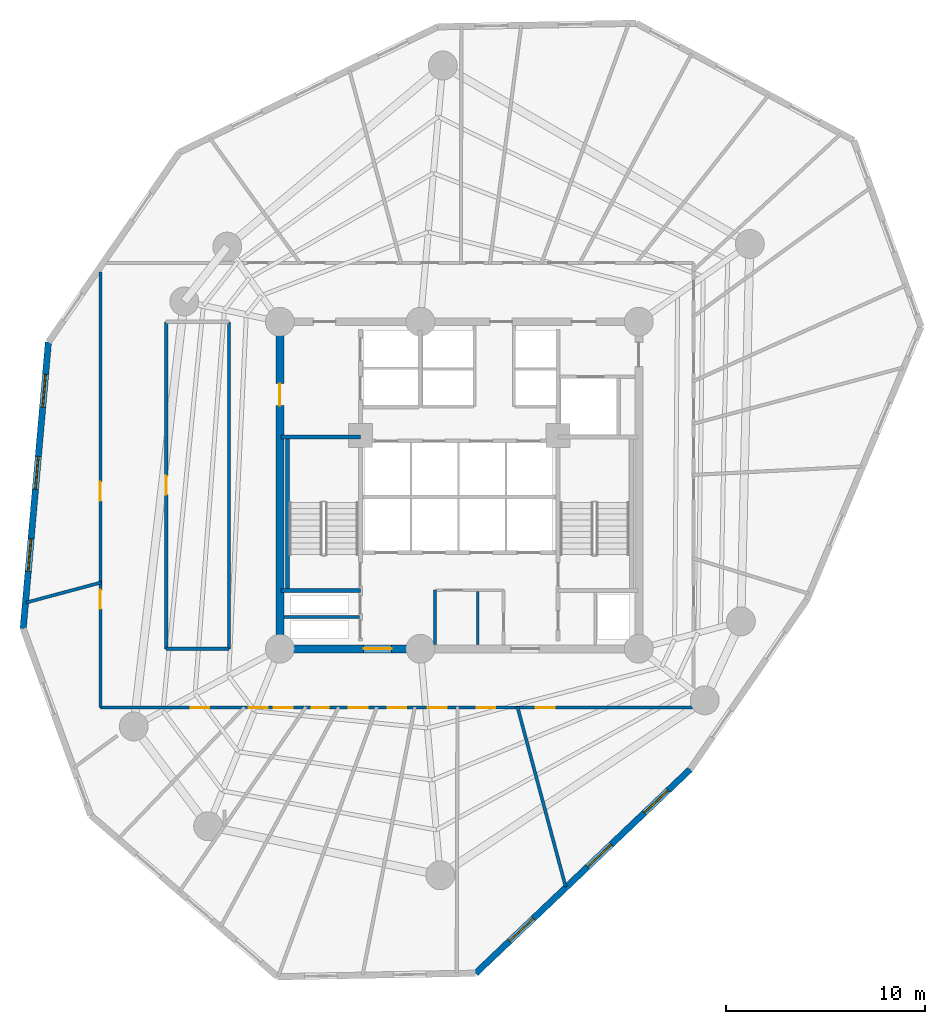
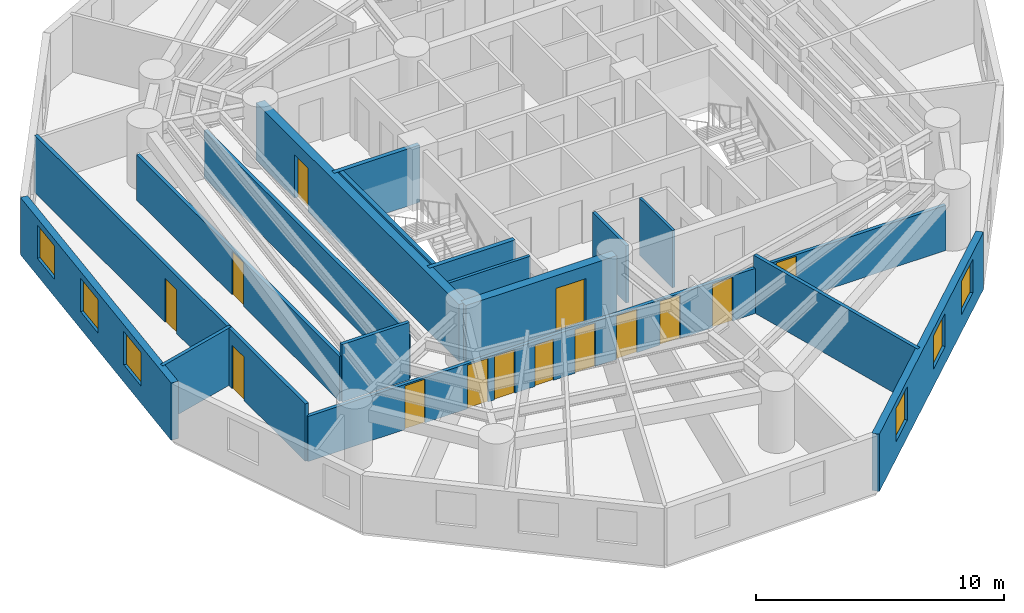
# One storey, part 3 of 8: 17 walls, 14 doors, 6 windows, 20 openings.
"""IFC4 building model written with IfcOpenShell, lengths in metres."""

import ifcopenshell
import ifcopenshell.guid

model = None  # the IFC model being written
_history = None  # IfcOwnerHistory: only IFC2X3 demands one
_inside = {}  # id of a spatial element -> (the spatial element, [elements in it])
_under = {}  # id of a project, library or spatial element -> (it, [spatial elements below it])
_declared = {}  # id of a project -> (the project, [libraries it declares])
_typed = {}  # id of a type object -> (the type object, [elements of that type])
_made_of = {}  # id of a material, layer set ... -> (it, [elements and type objects made of it])


def new_model(schema):
    """Start an empty IFC model of exactly this schema.

    Asked for "IFC4X3", IfcOpenShell would pick the latest addendum, in which some entities
    have other attributes; the version numbers below select the first issue.
    IFC2X3 requires an IfcOwnerHistory on every rooted entity: one is made here for all.
    """
    global model, _history
    if schema == "IFC4X3":
        model = ifcopenshell.file(schema_version=(4, 3, 0, 0))
    else:
        model = ifcopenshell.file(schema=schema)
    _inside.clear()
    _under.clear()
    _declared.clear()
    _typed.clear()
    _made_of.clear()
    _history = None
    if model.schema == "IFC2X3":
        org = make("IfcOrganization", Name="unknown")
        user = make(
            "IfcPersonAndOrganization",
            ThePerson=make("IfcPerson", FamilyName="unknown"),
            TheOrganization=org,
        )
        app = make(
            "IfcApplication",
            ApplicationDeveloper=org,
            Version="unknown",
            ApplicationFullName="unknown",
            ApplicationIdentifier="unknown",
        )
        _history = make(
            "IfcOwnerHistory",
            OwningUser=user,
            OwningApplication=app,
            ChangeAction="ADDED",
            CreationDate=0,
        )
    return model


def make(cls, **values):
    """One entity of the class cls with the attributes given. An attribute that is None is left unset."""
    return model.create_entity(
        cls, **{name: value for name, value in values.items() if value is not None}
    )


def rooted(cls, **values):
    """An entity with a GlobalId (a new one), such as an element, a storey or a relation."""
    return make(cls, GlobalId=ifcopenshell.guid.new(), OwnerHistory=_history, **values)


def si_unit(unit_type, name, prefix=None):
    """IfcSIUnit, for example si_unit("LENGTHUNIT", "METRE", prefix="MILLI")."""
    return make("IfcSIUnit", UnitType=unit_type, Prefix=prefix, Name=name)


def assignment(units):
    """IfcUnitAssignment: the units of a project."""
    return None if units is None else make("IfcUnitAssignment", Units=units)


def point(xyz):
    """IfcCartesianPoint."""
    return None if xyz is None else make("IfcCartesianPoint", Coordinates=xyz)


def direction(xyz):
    """IfcDirection."""
    return None if xyz is None else make("IfcDirection", DirectionRatios=xyz)


def frame(location, z_axis=None, x_axis=None):
    """IfcAxis2Placement3D, a coordinate frame: its origin and axes. An axis left out is left unset."""
    return make(
        "IfcAxis2Placement3D",
        Location=point(location),
        Axis=direction(z_axis),
        RefDirection=direction(x_axis),
    )


def frame_2d(location, x_axis=None):
    """IfcAxis2Placement2D, a coordinate frame in the plane: its origin and x axis."""
    return make(
        "IfcAxis2Placement2D", Location=point(location), RefDirection=direction(x_axis)
    )


def origin():
    """The frame at (0, 0, 0) with its axes left unset."""
    return frame((0.0, 0.0, 0.0))


def origin_with_axes():
    """The frame at (0, 0, 0) with the z axis (0, 0, 1) and the x axis (1, 0, 0) written out."""
    return frame((0.0, 0.0, 0.0), z_axis=(0.0, 0.0, 1.0), x_axis=(1.0, 0.0, 0.0))


def place(relative_to, where):
    """IfcLocalPlacement: puts the frame where relative to a parent placement (None: the world)."""
    return make(
        "IfcLocalPlacement", PlacementRelTo=relative_to, RelativePlacement=where
    )


def context(
    kind, dimensions, precision=None, world=None, true_north=None, identifier=None
):
    """IfcGeometricRepresentationContext, for example the 3D "Model" context."""
    return make(
        "IfcGeometricRepresentationContext",
        ContextIdentifier=identifier,
        ContextType=kind,
        CoordinateSpaceDimension=dimensions,
        Precision=precision,
        WorldCoordinateSystem=world,
        TrueNorth=true_north,
    )


def subcontext(parent, identifier, kind, view, scale=None):
    """IfcGeometricRepresentationSubContext, for example "Body" below "Model"."""
    return make(
        "IfcGeometricRepresentationSubContext",
        ContextIdentifier=identifier,
        ContextType=kind,
        ParentContext=parent,
        TargetScale=scale,
        TargetView=view,
    )


def project(units=None, contexts=None):
    """IfcProject with its units and contexts."""
    return rooted(
        "IfcProject",
        Name="project",
        RepresentationContexts=contexts,
        UnitsInContext=assignment(units),
    )


def spatial(cls, under=None, at=None, **own):
    """A site, building, storey or space (cls), placed at a placement, below another one or the project."""
    s = rooted(cls, ObjectPlacement=at, **own)
    if under is not None:
        _under.setdefault(under.id(), (under, []))[1].append(s)
    return s


def profile(cls, at=None, kind="AREA", **sizes):
    """A parametric profile (cls). Its sizes go by their IFC names, for example OverallWidth=200.0."""
    return make(cls, ProfileType=kind, Position=at, **sizes)


def rectangle(**sizes):
    """IfcRectangleProfileDef."""
    return profile("IfcRectangleProfileDef", **sizes)


def extrude(swept, where, along, depth):
    """IfcExtrudedAreaSolid: the profile swept, set in the frame where, extruded along a direction by depth."""
    return make(
        "IfcExtrudedAreaSolid",
        SweptArea=swept,
        Position=where,
        ExtrudedDirection=direction(along),
        Depth=depth,
    )


def shape(context_of_items, identifier, shape_type, items):
    """IfcShapeRepresentation: the items that make up one representation, for example the "Body"."""
    return make(
        "IfcShapeRepresentation",
        ContextOfItems=context_of_items,
        RepresentationIdentifier=identifier,
        RepresentationType=shape_type,
        Items=items,
    )


def source(mapping_origin, context_of_items, identifier, shape_type, items):
    """IfcRepresentationMap: a shape defined once, which mapped items show again and again."""
    return make(
        "IfcRepresentationMap",
        MappingOrigin=mapping_origin,
        MappedRepresentation=shape(context_of_items, identifier, shape_type, items),
    )


def transform(
    local_origin,
    x_axis=None,
    y_axis=None,
    z_axis=None,
    scale=None,
    scale2=None,
    scale3=None,
    uniform=True,
):
    """IfcCartesianTransformationOperator3D, or its non-uniform kind. x_axis, y_axis, z_axis: its Axis1, 2, 3."""
    if uniform:
        return make(
            "IfcCartesianTransformationOperator3D",
            Axis1=direction(x_axis),
            Axis2=direction(y_axis),
            LocalOrigin=point(local_origin),
            Scale=scale,
            Axis3=direction(z_axis),
        )
    return make(
        "IfcCartesianTransformationOperator3DnonUniform",
        Axis1=direction(x_axis),
        Axis2=direction(y_axis),
        LocalOrigin=point(local_origin),
        Scale=scale,
        Axis3=direction(z_axis),
        Scale2=scale2,
        Scale3=scale3,
    )


def mapped(mapping_source, mapping_target):
    """IfcMappedItem: shows the shape of a source again, moved by a transform."""
    return make(
        "IfcMappedItem", MappingSource=mapping_source, MappingTarget=mapping_target
    )


def material(Name=None, Category=None):
    """IfcMaterial."""
    return make("IfcMaterial", Name=Name, Category=Category)


def layer(
    of_material, thickness, ventilated=None, Name=None, Category=None, Priority=None
):
    """IfcMaterialLayer: one layer of a wall or slab, of a material (None: an air gap)."""
    return make(
        "IfcMaterialLayer",
        Material=of_material,
        LayerThickness=thickness,
        IsVentilated=ventilated,
        Name=Name,
        Category=Category,
        Priority=Priority,
    )


def layer_set(layers, Name=None):
    """IfcMaterialLayerSet."""
    return make("IfcMaterialLayerSet", MaterialLayers=layers, LayerSetName=Name)


def made_of(thing, what):
    """Note that an element or type object is made of a material, layer set ...; save() writes the relation."""
    if what is not None:
        _made_of.setdefault(what.id(), (what, []))[1].append(thing)
    return thing


def type_object(cls, material=None, **own):
    """A type object (cls), such as IfcWallType, which elements share."""
    return made_of(rooted(cls, **own), material)


def element(
    cls,
    number,
    at=None,
    inside=None,
    cuts=None,
    type_object=None,
    material=None,
    context=None,
    identifier="Body",
    shape_type=None,
    held_by="IfcProductDefinitionShape",
    body=None,
    shapes=None,
    **own,
):
    """One element of the class cls, such as IfcWall. Its Tag is "e" and its number.

    at: its placement. inside: the storey or other place that contains it. cuts: it is an
    opening in that element (IfcRelVoidsElement). A single representation is given by context,
    identifier, shape_type and body (its items); several are given by shapes. held_by: the class
    of the entity that holds the representations. save() writes the other relations.
    """
    e = rooted(cls, Tag="e%d" % number, ObjectPlacement=at, **own)
    if body is not None:
        shapes = [shape(context, identifier, shape_type, body)]
    if shapes is not None:
        e.Representation = make(held_by, Representations=shapes)
    if inside is not None:
        _inside.setdefault(inside.id(), (inside, []))[1].append(e)
    if cuts is not None:
        rooted(
            "IfcRelVoidsElement", RelatingBuildingElement=cuts, RelatedOpeningElement=e
        )
    if type_object is not None:
        _typed.setdefault(type_object.id(), (type_object, []))[1].append(e)
    return made_of(e, material)


def fill(opening, filler):
    """IfcRelFillsElement: the door or window that sits in an opening."""
    return rooted(
        "IfcRelFillsElement",
        RelatingOpeningElement=opening,
        RelatedBuildingElement=filler,
    )


def aggregate(whole, parts):
    """IfcRelAggregates: a whole, such as a stair, and the parts it consists of."""
    return rooted("IfcRelAggregates", RelatingObject=whole, RelatedObjects=parts)


def save(model, path):
    """Write the relations noted so far, then the file.

    IfcRelAggregates (storeys below a building ...), IfcRelContainedInSpatialStructure (elements
    in a storey), IfcRelDefinesByType, IfcRelAssociatesMaterial and IfcRelDeclares: one each for
    every whole, place, type object, material and project.
    """
    for whole, parts in _under.values():
        aggregate(whole, parts)
    for where, things in _inside.values():
        rooted(
            "IfcRelContainedInSpatialStructure",
            RelatedElements=things,
            RelatingStructure=where,
        )
    for kind, things in _typed.values():
        rooted("IfcRelDefinesByType", RelatedObjects=things, RelatingType=kind)
    for what, things in _made_of.values():
        rooted("IfcRelAssociatesMaterial", RelatedObjects=things, RelatingMaterial=what)
    for by, libraries in _declared.values():
        rooted("IfcRelDeclares", RelatingContext=by, RelatedDefinitions=libraries)
    model.write(path)


model = new_model("IFC4")

# Units and contexts
model_context = context("Model", 3, precision=1e-05, world=origin(), true_north=direction((0.0, 1.0)))
body_context = subcontext(model_context, "Body", "Model", "MODEL_VIEW")
ifc_project = project(units=[si_unit("LENGTHUNIT", "METRE"), si_unit("AREAUNIT", "SQUARE_METRE"), si_unit("VOLUMEUNIT", "CUBIC_METRE"), si_unit("PLANEANGLEUNIT", "RADIAN"), si_unit("MASSUNIT", "GRAM", prefix="KILO")], contexts=[model_context])

# Site, building, storey
site_placement = place(None, origin())
site = spatial("IfcSite", under=ifc_project, at=site_placement, CompositionType="ELEMENT")
building_placement = place(site_placement, origin())
building = spatial("IfcBuilding", under=site, at=building_placement, Name="Karkom Vertical University and Central Library", CompositionType="ELEMENT")
storey_placement = place(building_placement, frame((0.0, 0.0, 102.300048828125)))
storey = spatial("IfcBuildingStorey", under=building, at=storey_placement, Name="L27", CompositionType="ELEMENT", Elevation=102.300048828125)

# Wall, openings, windows
ifc_material_1 = material(Name="Brick-faced precast concrete C45/55", Category="masonry")
ifc_layer_1 = layer(ifc_material_1, 0.320068359375)
ifc_layer_set_1 = layer_set([ifc_layer_1], Name="Brick-faced precast concrete C45/55")
wall_type_1 = type_object("IfcWallType", Name="ENV-WL-BRK-320", PredefinedType="SOLIDWALL", material=ifc_layer_set_1)
wall_1_placement = place(storey_placement, frame((7.8935546875, 33.676025390625, 0.0), z_axis=(0.0, 0.0, 1.0), x_axis=(-0.087722802812, -0.996144924128, 0.0)))
wall_1 = element("IfcWall", 1, at=wall_1_placement, inside=storey, type_object=wall_type_1, Name="Level 27 Brick-Faced Precast Facade Wall 02", PredefinedType="SOLIDWALL", context=body_context, shape_type="SweptSolid", body=[
    extrude(rectangle(XDim=14.41650390625, YDim=0.320068359375, at=frame_2d((7.208251953125, 0.0))), origin(), (0.0, 0.0, 1.0), 2.824951171875),
])
opening_1_placement = place(wall_1_placement, frame((1.62109375, 0.0, 0.85009765625)))
opening_1 = element("IfcOpeningElement", 2, at=opening_1_placement, cuts=wall_1, Name="Opening WN-06", PredefinedType="OPENING", context=body_context, shape_type="SweptSolid", body=[
    extrude(rectangle(XDim=1.64990234375, YDim=1.64990234375, at=frame_2d((0.824951171875, 0.824951171875))), frame((0.0, 0.169921875, 0.0), z_axis=(0.0, -1.0, 0.0), x_axis=(1.0, 0.0, 0.0)), (0.0, 0.0, 1.0), 0.340087890625),
])
opening_2_placement = place(wall_1_placement, frame((5.7529296875, 0.0, 0.85009765625)))
opening_2 = element("IfcOpeningElement", 3, at=opening_2_placement, cuts=wall_1, Name="Opening WN-06", PredefinedType="OPENING", context=body_context, shape_type="SweptSolid", body=[
    extrude(rectangle(XDim=1.64990234375, YDim=1.64990234375, at=frame_2d((0.824951171875, 0.824951171875))), frame((0.0, 0.169921875, 0.0), z_axis=(0.0, -1.0, 0.0), x_axis=(1.0, 0.0, 0.0)), (0.0, 0.0, 1.0), 0.340087890625),
])
opening_3_placement = place(wall_1_placement, frame((9.885009765625, 0.0, 0.85009765625)))
opening_3 = element("IfcOpeningElement", 4, at=opening_3_placement, cuts=wall_1, Name="Opening WN-06", PredefinedType="OPENING", context=body_context, shape_type="SweptSolid", body=[
    extrude(rectangle(XDim=1.64990234375, YDim=1.64990234375, at=frame_2d((0.824951171875, 0.824951171875))), frame((0.0, 0.169921875, 0.0), z_axis=(0.0, -1.0, 0.0), x_axis=(1.0, 0.0, 0.0)), (0.0, 0.0, 1.0), 0.340087890625),
])
ifc_material_2 = material(Name="Aluminium thermal-break frame with solar-control IGU", Category="aluminium")
window_type = type_object("IfcWindowType", Name="ENV-WIN-WN-06", PartitioningType="SINGLE_PANEL", PredefinedType="WINDOW", material=ifc_material_2)
shared_shape_1 = source(origin_with_axes(), body_context, "Body", "SweptSolid", [
    extrude(rectangle(XDim=1.64990234375, YDim=1.64990234375, at=frame_2d((0.824951171875, 0.824951171875))), frame((0.0, 0.030029296875, 0.0), z_axis=(0.0, -1.0, 0.0), x_axis=(1.0, 0.0, 0.0)), (0.0, 0.0, 1.0), 0.06005859375),
])
window_1_placement = place(opening_1_placement, origin())
window_1 = element("IfcWindow", 5, at=window_1_placement, inside=storey, type_object=window_type, Name="Level 27 Punched Window 2.1", OverallHeight=1.64990234375, OverallWidth=1.64990234375, PartitioningType="SINGLE_PANEL", PredefinedType="WINDOW", context=body_context, shape_type="MappedRepresentation", body=[
    mapped(shared_shape_1, transform((0.0, 0.0, 0.0), scale=1.0)),
])
fill(opening_1, window_1)
window_2_placement = place(opening_2_placement, origin())
window_2 = element("IfcWindow", 6, at=window_2_placement, inside=storey, type_object=window_type, Name="Level 27 Punched Window 2.2", OverallHeight=1.64990234375, OverallWidth=1.64990234375, PartitioningType="SINGLE_PANEL", PredefinedType="WINDOW", context=body_context, shape_type="MappedRepresentation", body=[
    mapped(shared_shape_1, transform((0.0, 0.0, 0.0), scale=1.0)),
])
fill(opening_2, window_2)
window_3_placement = place(opening_3_placement, origin())
window_3 = element("IfcWindow", 7, at=window_3_placement, inside=storey, type_object=window_type, Name="Level 27 Punched Window 2.3", OverallHeight=1.64990234375, OverallWidth=1.64990234375, PartitioningType="SINGLE_PANEL", PredefinedType="WINDOW", context=body_context, shape_type="MappedRepresentation", body=[
    mapped(shared_shape_1, transform((0.0, 0.0, 0.0), scale=1.0)),
])
fill(opening_3, window_3)

wall_2_placement = place(storey_placement, frame((29.322265625, 2.026611328125, 0.0), z_axis=(0.0, 0.0, 1.0), x_axis=(0.724723882239, 0.689039399826, 0.0)))
wall_2 = element("IfcWall", 8, at=wall_2_placement, inside=storey, type_object=wall_type_1, Name="Level 27 Brick-Faced Precast Facade Wall 06", PredefinedType="SOLIDWALL", context=body_context, shape_type="SweptSolid", body=[
    extrude(rectangle(XDim=14.846435546875, YDim=0.320068359375, at=frame_2d((7.42333984375, 0.0))), origin(), (0.0, 0.0, 1.0), 2.824951171875),
])
opening_4_placement = place(wall_2_placement, frame((2.34228515625, 0.0, 0.85009765625)))
opening_4 = element("IfcOpeningElement", 9, at=opening_4_placement, cuts=wall_2, Name="Opening WN-06", PredefinedType="OPENING", context=body_context, shape_type="SweptSolid", body=[
    extrude(rectangle(XDim=1.64990234375, YDim=1.64990234375, at=frame_2d((0.824951171875, 0.824951171875))), frame((0.0, 0.169921875, 0.0), z_axis=(0.0, -1.0, 0.0), x_axis=(1.0, 0.0, 0.0)), (0.0, 0.0, 1.0), 0.340087890625),
])
opening_5_placement = place(wall_2_placement, frame((7.73779296875, 0.0, 0.85009765625)))
opening_5 = element("IfcOpeningElement", 10, at=opening_5_placement, cuts=wall_2, Name="Opening WN-06", PredefinedType="OPENING", context=body_context, shape_type="SweptSolid", body=[
    extrude(rectangle(XDim=1.64990234375, YDim=1.64990234375, at=frame_2d((0.824951171875, 0.824951171875))), frame((0.0, 0.169921875, 0.0), z_axis=(0.0, -1.0, 0.0), x_axis=(1.0, 0.0, 0.0)), (0.0, 0.0, 1.0), 0.340087890625),
])
opening_6_placement = place(wall_2_placement, frame((11.67333984375, 0.0, 0.85009765625)))
opening_6 = element("IfcOpeningElement", 11, at=opening_6_placement, cuts=wall_2, Name="Opening WN-06", PredefinedType="OPENING", context=body_context, shape_type="SweptSolid", body=[
    extrude(rectangle(XDim=1.64990234375, YDim=1.64990234375, at=frame_2d((0.824951171875, 0.824951171875))), frame((0.0, 0.169921875, 0.0), z_axis=(0.0, -1.0, 0.0), x_axis=(1.0, 0.0, 0.0)), (0.0, 0.0, 1.0), 0.340087890625),
])
window_4_placement = place(opening_4_placement, origin())
window_4 = element("IfcWindow", 12, at=window_4_placement, inside=storey, type_object=window_type, Name="Level 27 Punched Window 6.1", OverallHeight=1.64990234375, OverallWidth=1.64990234375, PartitioningType="SINGLE_PANEL", PredefinedType="WINDOW", context=body_context, shape_type="MappedRepresentation", body=[
    mapped(shared_shape_1, transform((0.0, 0.0, 0.0), scale=1.0)),
])
fill(opening_4, window_4)
window_5_placement = place(opening_5_placement, origin())
window_5 = element("IfcWindow", 13, at=window_5_placement, inside=storey, type_object=window_type, Name="Level 27 Punched Window 6.2", OverallHeight=1.64990234375, OverallWidth=1.64990234375, PartitioningType="SINGLE_PANEL", PredefinedType="WINDOW", context=body_context, shape_type="MappedRepresentation", body=[
    mapped(shared_shape_1, transform((0.0, 0.0, 0.0), scale=1.0)),
])
fill(opening_5, window_5)
window_6_placement = place(opening_6_placement, origin())
window_6 = element("IfcWindow", 14, at=window_6_placement, inside=storey, type_object=window_type, Name="Level 27 Punched Window 6.3", OverallHeight=1.64990234375, OverallWidth=1.64990234375, PartitioningType="SINGLE_PANEL", PredefinedType="WINDOW", context=body_context, shape_type="MappedRepresentation", body=[
    mapped(shared_shape_1, transform((0.0, 0.0, 0.0), scale=1.0)),
])
fill(opening_6, window_6)

# Wall, openings, doors
ifc_material_3 = material(Name="Insulated metal-stud drywall 160mm", Category="gypsum")
ifc_layer_2 = layer(ifc_material_3, 0.159912109375)
ifc_layer_set_2 = layer_set([ifc_layer_2], Name="Insulated metal-stud drywall 160mm")
wall_type_2 = type_object("IfcWallType", Name="INT-WL-COR-160", PredefinedType="PARTITIONING", material=ifc_layer_set_2)
wall_3_placement = place(storey_placement, frame((40.25, 15.35009765625, 0.0), z_axis=(0.0, 0.0, 1.0), x_axis=(-1.0, 0.0, 0.0)))
wall_3 = element("IfcWall", 15, at=wall_3_placement, inside=storey, type_object=wall_type_2, Name="Level 27 Interior Partition Wall L27-CORW-CW-001", PredefinedType="PARTITIONING", context=body_context, shape_type="SweptSolid", body=[
    extrude(rectangle(XDim=29.75, YDim=0.159912109375, at=frame_2d((14.875, 0.0))), origin(), (0.0, 0.0, 1.0), 2.224853515625),
])
opening_7_placement = place(wall_3_placement, frame((24.280029296875, 0.0, 0.0)))
opening_7 = element("IfcOpeningElement", 16, at=opening_7_placement, cuts=wall_3, Name="Opening D-RM1", PredefinedType="OPENING", context=body_context, shape_type="SweptSolid", body=[
    extrude(rectangle(XDim=0.949951171875, YDim=2.14990234375, at=frame_2d((0.47509765625, 1.074951171875))), frame((0.0, 0.08984375, 0.0), z_axis=(0.0, -1.0, 0.0), x_axis=(1.0, 0.0, 0.0)), (0.0, 0.0, 1.0), 0.179931640625),
])
opening_8_placement = place(wall_3_placement, frame((21.347412109375, 0.0, 0.0)))
opening_8 = element("IfcOpeningElement", 17, at=opening_8_placement, cuts=wall_3, Name="Opening D-RM1", PredefinedType="OPENING", context=body_context, shape_type="SweptSolid", body=[
    extrude(rectangle(XDim=0.949951171875, YDim=2.14990234375, at=frame_2d((0.47509765625, 1.074951171875))), frame((0.0, 0.08984375, 0.0), z_axis=(0.0, -1.0, 0.0), x_axis=(1.0, 0.0, 0.0)), (0.0, 0.0, 1.0), 0.179931640625),
])
opening_9_placement = place(wall_3_placement, frame((20.1025390625, 0.0, 0.0)))
opening_9 = element("IfcOpeningElement", 18, at=opening_9_placement, cuts=wall_3, Name="Opening D-RM1", PredefinedType="OPENING", context=body_context, shape_type="SweptSolid", body=[
    extrude(rectangle(XDim=0.949951171875, YDim=2.14990234375, at=frame_2d((0.47509765625, 1.074951171875))), frame((0.0, 0.08984375, 0.0), z_axis=(0.0, -1.0, 0.0), x_axis=(1.0, 0.0, 0.0)), (0.0, 0.0, 1.0), 0.179931640625),
])
opening_10_placement = place(wall_3_placement, frame((16.3466796875, 0.0, 0.0)))
opening_10 = element("IfcOpeningElement", 19, at=opening_10_placement, cuts=wall_3, Name="Opening D-RM1", PredefinedType="OPENING", context=body_context, shape_type="SweptSolid", body=[
    extrude(rectangle(XDim=0.949951171875, YDim=2.14990234375, at=frame_2d((0.47509765625, 1.074951171875))), frame((0.0, 0.08984375, 0.0), z_axis=(0.0, -1.0, 0.0), x_axis=(1.0, 0.0, 0.0)), (0.0, 0.0, 1.0), 0.179931640625),
])
opening_11_placement = place(wall_3_placement, frame((14.39990234375, 0.0, 0.0)))
opening_11 = element("IfcOpeningElement", 20, at=opening_11_placement, cuts=wall_3, Name="Opening D-RM1", PredefinedType="OPENING", context=body_context, shape_type="SweptSolid", body=[
    extrude(rectangle(XDim=0.949951171875, YDim=2.14990234375, at=frame_2d((0.47509765625, 1.074951171875))), frame((0.0, 0.08984375, 0.0), z_axis=(0.0, -1.0, 0.0), x_axis=(1.0, 0.0, 0.0)), (0.0, 0.0, 1.0), 0.179931640625),
])
opening_12_placement = place(wall_3_placement, frame((12.3857421875, 0.0, 0.0)))
opening_12 = element("IfcOpeningElement", 21, at=opening_12_placement, cuts=wall_3, Name="Opening D-RM1", PredefinedType="OPENING", context=body_context, shape_type="SweptSolid", body=[
    extrude(rectangle(XDim=0.949951171875, YDim=2.14990234375, at=frame_2d((0.47509765625, 1.074951171875))), frame((0.0, 0.08984375, 0.0), z_axis=(0.0, -1.0, 0.0), x_axis=(1.0, 0.0, 0.0)), (0.0, 0.0, 1.0), 0.179931640625),
])
opening_13_placement = place(wall_3_placement, frame((9.9375, 0.0, 0.0)))
opening_13 = element("IfcOpeningElement", 22, at=opening_13_placement, cuts=wall_3, Name="Opening D-RM1", PredefinedType="OPENING", context=body_context, shape_type="SweptSolid", body=[
    extrude(rectangle(XDim=0.949951171875, YDim=2.14990234375, at=frame_2d((0.47509765625, 1.074951171875))), frame((0.0, 0.08984375, 0.0), z_axis=(0.0, -1.0, 0.0), x_axis=(1.0, 0.0, 0.0)), (0.0, 0.0, 1.0), 0.179931640625),
])
opening_14_placement = place(wall_3_placement, frame((6.96240234375, 0.0, 0.0)))
opening_14 = element("IfcOpeningElement", 23, at=opening_14_placement, cuts=wall_3, Name="Opening D-RM1", PredefinedType="OPENING", context=body_context, shape_type="SweptSolid", body=[
    extrude(rectangle(XDim=0.949951171875, YDim=2.14990234375, at=frame_2d((0.47509765625, 1.074951171875))), frame((0.0, 0.08984375, 0.0), z_axis=(0.0, -1.0, 0.0), x_axis=(1.0, 0.0, 0.0)), (0.0, 0.0, 1.0), 0.179931640625),
])
opening_15_placement = place(wall_3_placement, frame((18.293212890625, 0.0, 0.0)))
opening_15 = element("IfcOpeningElement", 24, at=opening_15_placement, cuts=wall_3, Name="Opening FD-BTH2", PredefinedType="OPENING", context=body_context, shape_type="SweptSolid", body=[
    extrude(rectangle(XDim=0.860107421875, YDim=2.0400390625, at=frame_2d((0.43017578125, 1.02001953125))), frame((0.0, 0.08984375, 0.0), z_axis=(0.0, -1.0, 0.0), x_axis=(1.0, 0.0, 0.0)), (0.0, 0.0, 1.0), 0.179931640625),
])
ifc_material_4 = material(Name="Fire-rated moisture-resistant oak door", Category="wood")
door_type_1 = type_object("IfcDoorType", Name="INT-DR-FBTH2", OperationType="NOTDEFINED", PredefinedType="DOOR", material=ifc_material_4)
shared_shape_2 = source(origin_with_axes(), body_context, "Body", "SweptSolid", [
    extrude(rectangle(XDim=0.860107421875, YDim=2.0400390625, at=frame_2d((0.43017578125, 1.02001953125))), frame((0.0, 0.02490234375, 0.0), z_axis=(0.0, -1.0, 0.0), x_axis=(1.0, 0.0, 0.0)), (0.0, 0.0, 1.0), 0.050048828125),
])
door_1_placement = place(opening_15_placement, origin())
door_1 = element("IfcDoor", 25, at=door_1_placement, inside=storey, type_object=door_type_1, Name="Level 27 Academic Collaborative Study Lounge Entry Door", OperationType="SINGLE_SWING_LEFT", OverallHeight=2.0400390625, OverallWidth=0.860107421875, PredefinedType="DOOR", context=body_context, shape_type="MappedRepresentation", body=[
    mapped(shared_shape_2, transform((0.0, 0.0, 0.0), scale=1.0)),
])
fill(opening_15, door_1)
ifc_material_5 = material(Name="Solid-core oak veneer door", Category="wood")
door_type_2 = type_object("IfcDoorType", Name="INT-DR-RM1", OperationType="NOTDEFINED", PredefinedType="DOOR", material=ifc_material_5)
shared_shape_3 = source(origin_with_axes(), body_context, "Body", "SweptSolid", [
    extrude(rectangle(XDim=0.949951171875, YDim=2.14990234375, at=frame_2d((0.47509765625, 1.074951171875))), frame((0.0, 0.02490234375, 0.0), z_axis=(0.0, -1.0, 0.0), x_axis=(1.0, 0.0, 0.0)), (0.0, 0.0, 1.0), 0.050048828125),
])
door_2_placement = place(opening_7_placement, origin())
door_2 = element("IfcDoor", 26, at=door_2_placement, inside=storey, type_object=door_type_2, Name="Level 27 Room Entry Door 020", OperationType="SINGLE_SWING_RIGHT", OverallHeight=2.14990234375, OverallWidth=0.949951171875, PredefinedType="DOOR", context=body_context, shape_type="MappedRepresentation", body=[
    mapped(shared_shape_3, transform((0.0, 0.0, 0.0), scale=1.0)),
])
fill(opening_7, door_2)
door_3_placement = place(opening_8_placement, origin())
door_3 = element("IfcDoor", 27, at=door_3_placement, inside=storey, type_object=door_type_2, Name="Level 27 Room Entry Door 030", OperationType="SINGLE_SWING_LEFT", OverallHeight=2.14990234375, OverallWidth=0.949951171875, PredefinedType="DOOR", context=body_context, shape_type="MappedRepresentation", body=[
    mapped(shared_shape_3, transform((0.0, 0.0, 0.0), scale=1.0)),
])
fill(opening_8, door_3)
door_4_placement = place(opening_9_placement, origin())
door_4 = element("IfcDoor", 28, at=door_4_placement, inside=storey, type_object=door_type_2, Name="Level 27 Room Entry Door 040", OperationType="SINGLE_SWING_RIGHT", OverallHeight=2.14990234375, OverallWidth=0.949951171875, PredefinedType="DOOR", context=body_context, shape_type="MappedRepresentation", body=[
    mapped(shared_shape_3, transform((0.0, 0.0, 0.0), scale=1.0)),
])
fill(opening_9, door_4)
door_5_placement = place(opening_10_placement, origin())
door_5 = element("IfcDoor", 29, at=door_5_placement, inside=storey, type_object=door_type_2, Name="Level 27 Room Entry Door 050", OperationType="SINGLE_SWING_LEFT", OverallHeight=2.14990234375, OverallWidth=0.949951171875, PredefinedType="DOOR", context=body_context, shape_type="MappedRepresentation", body=[
    mapped(shared_shape_3, transform((0.0, 0.0, 0.0), scale=1.0)),
])
fill(opening_10, door_5)
door_6_placement = place(opening_11_placement, origin())
door_6 = element("IfcDoor", 30, at=door_6_placement, inside=storey, type_object=door_type_2, Name="Level 27 Room Entry Door 060", OperationType="SINGLE_SWING_RIGHT", OverallHeight=2.14990234375, OverallWidth=0.949951171875, PredefinedType="DOOR", context=body_context, shape_type="MappedRepresentation", body=[
    mapped(shared_shape_3, transform((0.0, 0.0, 0.0), scale=1.0)),
])
fill(opening_11, door_6)
door_7_placement = place(opening_12_placement, origin())
door_7 = element("IfcDoor", 31, at=door_7_placement, inside=storey, type_object=door_type_2, Name="Level 27 Room Entry Door 070", OperationType="SINGLE_SWING_LEFT", OverallHeight=2.14990234375, OverallWidth=0.949951171875, PredefinedType="DOOR", context=body_context, shape_type="MappedRepresentation", body=[
    mapped(shared_shape_3, transform((0.0, 0.0, 0.0), scale=1.0)),
])
fill(opening_12, door_7)
door_8_placement = place(opening_13_placement, origin())
door_8 = element("IfcDoor", 32, at=door_8_placement, inside=storey, type_object=door_type_2, Name="Level 27 Room Entry Door 080", OperationType="SINGLE_SWING_RIGHT", OverallHeight=2.14990234375, OverallWidth=0.949951171875, PredefinedType="DOOR", context=body_context, shape_type="MappedRepresentation", body=[
    mapped(shared_shape_3, transform((0.0, 0.0, 0.0), scale=1.0)),
])
fill(opening_13, door_8)
door_9_placement = place(opening_14_placement, origin())
door_9 = element("IfcDoor", 33, at=door_9_placement, inside=storey, type_object=door_type_2, Name="Level 27 Room Entry Door 090", OperationType="SINGLE_SWING_LEFT", OverallHeight=2.14990234375, OverallWidth=0.949951171875, PredefinedType="DOOR", context=body_context, shape_type="MappedRepresentation", body=[
    mapped(shared_shape_3, transform((0.0, 0.0, 0.0), scale=1.0)),
])
fill(opening_14, door_9)

wall_4_placement = place(storey_placement, frame((10.5, 15.35009765625, 0.0), z_axis=(0.0, 0.0, 1.0), x_axis=(0.0, 1.0, 0.0)))
wall_4 = element("IfcWall", 34, at=wall_4_placement, inside=storey, type_object=wall_type_2, Name="Level 27 Interior Partition Wall L27-CORW-CW-002", PredefinedType="PARTITIONING", context=body_context, shape_type="SweptSolid", body=[
    extrude(rectangle(XDim=21.8427734375, YDim=0.159912109375, at=frame_2d((10.92138671875, 0.0))), origin(), (0.0, 0.0, 1.0), 2.824951171875),
])
opening_16_placement = place(wall_4_placement, frame((4.94677734375, 0.0, 0.0)))
opening_16 = element("IfcOpeningElement", 35, at=opening_16_placement, cuts=wall_4, Name="Opening FD-RM2", PredefinedType="OPENING", context=body_context, shape_type="SweptSolid", body=[
    extrude(rectangle(XDim=0.9599609375, YDim=2.14990234375, at=frame_2d((0.47998046875, 1.074951171875))), frame((0.0, 0.08984375, 0.0), z_axis=(0.0, -1.0, 0.0), x_axis=(1.0, 0.0, 0.0)), (0.0, 0.0, 1.0), 0.179931640625),
])
opening_17_placement = place(wall_4_placement, frame((10.368408203125, 0.0, 0.0)))
opening_17 = element("IfcOpeningElement", 36, at=opening_17_placement, cuts=wall_4, Name="Opening D-RM1", PredefinedType="OPENING", context=body_context, shape_type="SweptSolid", body=[
    extrude(rectangle(XDim=0.949951171875, YDim=2.14990234375, at=frame_2d((0.47509765625, 1.074951171875))), frame((0.0, 0.08984375, 0.0), z_axis=(0.0, -1.0, 0.0), x_axis=(1.0, 0.0, 0.0)), (0.0, 0.0, 1.0), 0.179931640625),
])
ifc_material_6 = material(Name="Fire-rated oak veneer door", Category="wood")
door_type_3 = type_object("IfcDoorType", Name="INT-DR-FRM2", OperationType="NOTDEFINED", PredefinedType="DOOR", material=ifc_material_6)
shared_shape_4 = source(origin_with_axes(), body_context, "Body", "SweptSolid", [
    extrude(rectangle(XDim=0.9599609375, YDim=2.14990234375, at=frame_2d((0.47998046875, 1.074951171875))), frame((0.0, 0.02490234375, 0.0), z_axis=(0.0, -1.0, 0.0), x_axis=(1.0, 0.0, 0.0)), (0.0, 0.0, 1.0), 0.050048828125),
])
door_10_placement = place(opening_16_placement, origin())
door_10 = element("IfcDoor", 37, at=door_10_placement, inside=storey, type_object=door_type_3, Name="Level 27 Room Entry Door 010", OperationType="SINGLE_SWING_LEFT", OverallHeight=2.14990234375, OverallWidth=0.9599609375, PredefinedType="DOOR", context=body_context, shape_type="MappedRepresentation", body=[
    mapped(shared_shape_4, transform((0.0, 0.0, 0.0), scale=1.0)),
])
fill(opening_16, door_10)
door_11_placement = place(opening_17_placement, origin())
door_11 = element("IfcDoor", 38, at=door_11_placement, inside=storey, type_object=door_type_2, Name="Level 27 Room Entry Door 240", OperationType="SINGLE_SWING_RIGHT", OverallHeight=2.14990234375, OverallWidth=0.949951171875, PredefinedType="DOOR", context=body_context, shape_type="MappedRepresentation", body=[
    mapped(shared_shape_3, transform((0.0, 0.0, 0.0), scale=1.0)),
])
fill(opening_17, door_11)

# Wall, opening, door
wall_5_placement = place(storey_placement, frame((13.800048828125, 34.699951171875, 0.0), z_axis=(0.0, 0.0, 1.0), x_axis=(0.0, -1.0, 0.0)))
wall_5 = element("IfcWall", 39, at=wall_5_placement, inside=storey, type_object=wall_type_2, Name="Level 27 Interior Partition Wall L27-CORW-CW-006", PredefinedType="PARTITIONING", context=body_context, shape_type="SweptSolid", body=[
    extrude(rectangle(XDim=16.39990234375, YDim=0.159912109375, at=frame_2d((8.199951171875, 0.0))), origin(), (0.0, 0.0, 1.0), 2.224853515625),
])
opening_18_placement = place(wall_5_placement, frame((7.72509765625, 0.0, 0.0)))
opening_18 = element("IfcOpeningElement", 40, at=opening_18_placement, cuts=wall_5, Name="Opening D-RM1", PredefinedType="OPENING", context=body_context, shape_type="SweptSolid", body=[
    extrude(rectangle(XDim=0.949951171875, YDim=2.14990234375, at=frame_2d((0.47509765625, 1.074951171875))), frame((0.0, 0.08984375, 0.0), z_axis=(0.0, -1.0, 0.0), x_axis=(1.0, 0.0, 0.0)), (0.0, 0.0, 1.0), 0.179931640625),
])
door_12_placement = place(opening_18_placement, origin())
door_12 = element("IfcDoor", 41, at=door_12_placement, inside=storey, type_object=door_type_2, Name="Level 27 Room Entry Door 000", OperationType="SINGLE_SWING_RIGHT", OverallHeight=2.14990234375, OverallWidth=0.949951171875, PredefinedType="DOOR", context=body_context, shape_type="MappedRepresentation", body=[
    mapped(shared_shape_3, transform((0.0, 0.0, 0.0), scale=1.0)),
])
fill(opening_18, door_12)

# Walls
wall_6_placement = place(storey_placement, frame((16.949951171875, 18.300048828125, 0.0), z_axis=(0.0, 0.0, 1.0), x_axis=(0.0, 1.0, 0.0)))
element("IfcWall", 42, at=wall_6_placement, inside=storey, type_object=wall_type_2, Name="Level 27 Interior Partition Wall L27-CORW-CW-008", PredefinedType="PARTITIONING", context=body_context, shape_type="SweptSolid", body=[
    extrude(rectangle(XDim=16.39990234375, YDim=0.159912109375, at=frame_2d((8.199951171875, 0.0))), origin(), (0.0, 0.0, 1.0), 2.324951171875),
])
wall_7_placement = place(storey_placement, frame((31.41455078125, 15.3935546875, 0.0), z_axis=(0.0, 0.0, 1.0), x_axis=(0.258868341156, -0.965912616103, 0.0)))
element("IfcWall", 43, at=wall_7_placement, inside=storey, type_object=wall_type_2, Name="Level 27 Interior Partition Wall L27-PW-011", PredefinedType="PARTITIONING", context=body_context, shape_type="SweptSolid", body=[
    extrude(rectangle(XDim=9.349853515625, YDim=0.159912109375, at=frame_2d((4.6748046875, 0.0))), origin(), (0.0, 0.0, 1.0), 2.824951171875),
])
wall_8_placement = place(storey_placement, frame((6.7724609375, 20.615966796875, 0.0), z_axis=(0.0, 0.0, 1.0), x_axis=(0.965910366616, 0.258876734498, 0.0)))
element("IfcWall", 44, at=wall_8_placement, inside=storey, type_object=wall_type_2, Name="Level 27 Interior Partition Wall L27-PW-002", PredefinedType="PARTITIONING", context=body_context, shape_type="SweptSolid", body=[
    extrude(rectangle(XDim=3.904296875, YDim=0.159912109375, at=frame_2d((1.9521484375, 0.0))), origin(), (0.0, 0.0, 1.0), 2.824951171875),
])
wall_9_placement = place(storey_placement, frame((13.800048828125, 18.300048828125, 0.0), z_axis=(0.0, 0.0, 1.0), x_axis=(1.0, 0.0, 0.0)))
element("IfcWall", 45, at=wall_9_placement, inside=storey, type_object=wall_type_2, Name="Level 27 Interior Partition Wall L27-CORW-CW-007", PredefinedType="PARTITIONING", context=body_context, shape_type="SweptSolid", body=[
    extrude(rectangle(XDim=3.14990234375, YDim=0.159912109375, at=frame_2d((1.574951171875, 0.0))), origin(), (0.0, 0.0, 1.0), 2.824951171875),
])
ifc_material_7 = material(Name="Moisture-resistant drywall 120mm", Category="gypsum")
ifc_layer_3 = layer(ifc_material_7, 0.1201171875)
ifc_layer_set_3 = layer_set([ifc_layer_3], Name="Moisture-resistant drywall 120mm")
wall_type_3 = type_object("IfcWallType", Name="INT-WL-INT-120", PredefinedType="PARTITIONING", material=ifc_layer_set_3)
wall_10_placement = place(storey_placement, frame((29.419921875, 18.507080078125, 0.0), z_axis=(0.0, 0.0, 1.0), x_axis=(0.0, 1.0, 0.0)))
element("IfcWall", 46, at=wall_10_placement, inside=storey, type_object=wall_type_3, Name="Level 27 Interior Partition Wall L27-CW-K3-DIV", PredefinedType="PARTITIONING", context=body_context, shape_type="SweptSolid", body=[
    extrude(rectangle(XDim=2.66162109375, YDim=0.1201171875, at=frame_2d((1.330810546875, 0.0))), origin(), (0.0, 0.0, 1.0), 2.824951171875),
])
ifc_material_8 = material(Name="Metal-stud gypsum partition 140mm", Category="gypsum")
ifc_layer_4 = layer(ifc_material_8, 0.139892578125)
ifc_layer_set_4 = layer_set([ifc_layer_4], Name="Metal-stud gypsum partition 140mm")
wall_type_4 = type_object("IfcWallType", Name="INT-WL-SUB-140", PredefinedType="PARTITIONING", material=ifc_layer_set_4)
wall_11_placement = place(storey_placement, frame((27.280029296875, 18.507080078125, 0.0), z_axis=(0.0, 0.0, 1.0), x_axis=(0.0, 1.0, 0.0)))
element("IfcWall", 47, at=wall_11_placement, inside=storey, type_object=wall_type_4, Name="Level 27 Interior Partition Wall L27-CW-KBAY-W", PredefinedType="PARTITIONING", context=body_context, shape_type="SweptSolid", body=[
    extrude(rectangle(XDim=2.73291015625, YDim=0.139892578125, at=frame_2d((1.366455078125, 0.0))), origin(), (0.0, 0.0, 1.0), 2.824951171875),
])
ifc_layer_5 = layer(ifc_material_8, 0.139892578125)
ifc_layer_set_5 = layer_set([ifc_layer_5], Name="Metal-stud gypsum partition 140mm")
wall_type_5 = type_object("IfcWallType", Name="INT-WL-SUB-140H", PredefinedType="PARTITIONING", material=ifc_layer_set_5)
wall_12_placement = place(storey_placement, frame((19.70703125, 19.889892578125, 0.0), z_axis=(0.0, 0.0, 1.0), x_axis=(1.0, 0.0, 0.0)))
element("IfcWall", 48, at=wall_12_placement, inside=storey, type_object=wall_type_5, Name="Level 27 Interior Partition Wall L27-CW-RIS-W", PredefinedType="PARTITIONING", context=body_context, shape_type="SweptSolid", body=[
    extrude(rectangle(XDim=3.789794921875, YDim=0.139892578125, at=frame_2d((1.89501953125, 0.0))), origin(), (0.0, 0.0, 1.0), 2.824951171875),
])

# Wall, opening, door
ifc_material_9 = material(Name="Concrete C50/60", Category="concrete")
ifc_layer_6 = layer(ifc_material_9, 0.39990234375)
ifc_layer_set_6 = layer_set([ifc_layer_6], Name="Concrete C50/60")
wall_type_6 = type_object("IfcWallType", Name="STR-WL-CW-400", PredefinedType="SHEAR", material=ifc_layer_set_6)
wall_13_placement = place(storey_placement, frame((19.5, 18.300048828125, 0.0), z_axis=(0.0, 0.0, 1.0), x_axis=(1.0, 0.0, 0.0)))
wall_13 = element("IfcWall", 49, at=wall_13_placement, inside=storey, type_object=wall_type_6, Name="Level 27 Central Core Shear Wall SW1", PredefinedType="SHEAR", context=body_context, shape_type="SweptSolid", body=[
    extrude(rectangle(XDim=7.050048828125, YDim=0.39990234375, at=frame_2d((3.52490234375, 0.0))), origin(), (0.0, 0.0, 1.0), 2.824951171875),
])
opening_19_placement = place(wall_13_placement, frame((4.199951171875, 0.0, 0.0)))
opening_19 = element("IfcOpeningElement", 50, at=opening_19_placement, cuts=wall_13, Name="Opening FD-CLB", PredefinedType="OPENING", context=body_context, shape_type="SweptSolid", body=[
    extrude(rectangle(XDim=1.39990234375, YDim=2.199951171875, at=frame_2d((0.699951171875, 1.10009765625))), frame((0.0, 0.2099609375, 0.0), z_axis=(0.0, -1.0, 0.0), x_axis=(1.0, 0.0, 0.0)), (0.0, 0.0, 1.0), 0.419921875),
])
ifc_material_10 = material(Name="Painted steel fire door", Category="steel")
door_type_4 = type_object("IfcDoorType", Name="INT-DR-CLB", OperationType="DOUBLE_DOOR_SINGLE_SWING", PredefinedType="DOOR", material=ifc_material_10)
shared_shape_5 = source(origin_with_axes(), body_context, "Body", "SweptSolid", [
    extrude(rectangle(XDim=1.39990234375, YDim=2.199951171875, at=frame_2d((0.699951171875, 1.10009765625))), frame((0.0, 0.02490234375, 0.0), z_axis=(0.0, -1.0, 0.0), x_axis=(1.0, 0.0, 0.0)), (0.0, 0.0, 1.0), 0.050048828125),
])
door_13_placement = place(opening_19_placement, origin())
door_13 = element("IfcDoor", 51, at=door_13_placement, inside=storey, type_object=door_type_4, Name="Level 27 South Core Lobby West Exit Door", OperationType="DOUBLE_DOOR_SINGLE_SWING", OverallHeight=2.199951171875, OverallWidth=1.39990234375, PredefinedType="DOOR", context=body_context, shape_type="MappedRepresentation", body=[
    mapped(shared_shape_5, transform((0.0, 0.0, 0.0), scale=1.0)),
])
fill(opening_19, door_13)

wall_14_placement = place(storey_placement, frame((19.5, 34.699951171875, 0.0), z_axis=(0.0, 0.0, 1.0), x_axis=(0.0, -1.0, 0.0)))
wall_14 = element("IfcWall", 52, at=wall_14_placement, inside=storey, type_object=wall_type_6, Name="Level 27 Central Core Shear Wall WW", PredefinedType="SHEAR", context=body_context, shape_type="SweptSolid", body=[
    extrude(rectangle(XDim=16.39990234375, YDim=0.39990234375, at=frame_2d((8.199951171875, 0.0))), origin(), (0.0, 0.0, 1.0), 2.824951171875),
])
opening_20_placement = place(wall_14_placement, frame((3.10009765625, 0.0, 0.0)))
opening_20 = element("IfcOpeningElement", 53, at=opening_20_placement, cuts=wall_14, Name="Opening FD-FFL", PredefinedType="OPENING", context=body_context, shape_type="SweptSolid", body=[
    extrude(rectangle(XDim=1.10009765625, YDim=2.14990234375, at=frame_2d((0.550048828125, 1.074951171875))), frame((0.0, 0.2099609375, 0.0), z_axis=(0.0, -1.0, 0.0), x_axis=(1.0, 0.0, 0.0)), (0.0, 0.0, 1.0), 0.419921875),
])
ifc_material_11 = material(Name="Painted steel smoke-seal fire door", Category="steel")
door_type_5 = type_object("IfcDoorType", Name="INT-DR-FFL", OperationType="NOTDEFINED", PredefinedType="DOOR", material=ifc_material_11)
shared_shape_6 = source(origin_with_axes(), body_context, "Body", "SweptSolid", [
    extrude(rectangle(XDim=1.10009765625, YDim=2.14990234375, at=frame_2d((0.550048828125, 1.074951171875))), frame((0.0, 0.02490234375, 0.0), z_axis=(0.0, -1.0, 0.0), x_axis=(1.0, 0.0, 0.0)), (0.0, 0.0, 1.0), 0.050048828125),
])
door_14_placement = place(opening_20_placement, origin())
door_14 = element("IfcDoor", 54, at=door_14_placement, inside=storey, type_object=door_type_5, Name="Level 27 West Corridor Firefighting Lobby Door", OperationType="SINGLE_SWING_LEFT", OverallHeight=2.14990234375, OverallWidth=1.10009765625, PredefinedType="DOOR", context=body_context, shape_type="MappedRepresentation", body=[
    mapped(shared_shape_6, transform((0.0, 0.0, 0.0), scale=1.0)),
])
fill(opening_20, door_14)

# Walls
ifc_material_12 = material(Name="Concrete C45/55", Category="concrete")
ifc_layer_7 = layer(ifc_material_12, 0.199951171875)
ifc_layer_set_7 = layer_set([ifc_layer_7], Name="Concrete C45/55")
wall_type_7 = type_object("IfcWallType", Name="STR-WL-ST-200", PredefinedType="SHEAR", material=ifc_layer_set_7)
wall_15_placement = place(storey_placement, frame((19.875, 21.320068359375, 0.0), z_axis=(0.0, 0.0, 1.0), x_axis=(0.0, 1.0, 0.0)))
element("IfcWall", 55, at=wall_15_placement, inside=storey, type_object=wall_type_7, Name="Level 27 Core Shaft Wall L27-CW-ST1-W", PredefinedType="SHEAR", context=body_context, shape_type="SweptSolid", body=[
    extrude(rectangle(XDim=7.5, YDim=0.199951171875, at=frame_2d((3.75, 0.0))), origin(), (0.0, 0.0, 1.0), 2.824951171875),
])
for number, where, z_axis, x_axis, name in (
    (56, (19.550048828125, 21.215087890625, 0.0), (0.0, 0.0, 1.0), (1.0, 0.0, 0.0), "Level 27 Core Shaft Wall L27-CW-ST1-S"),
    (57, (19.550048828125, 28.925048828125, 0.0), (0.0, 0.0, 1.0), (1.0, 0.0, 0.0), "Level 27 Core Shaft Wall L27-CW-ST1-N"),
):
    element("IfcWall", number, at=place(storey_placement, frame(where, z_axis=z_axis, x_axis=x_axis)), inside=storey, type_object=wall_type_7, Name=name, PredefinedType="SHEAR", context=body_context, shape_type="SweptSolid", body=[
        extrude(rectangle(XDim=3.994873046875, YDim=0.199951171875, at=frame_2d((1.99755859375, 0.0))), origin(), (0.0, 0.0, 1.0), 2.824951171875),
    ])

save(model, "model.ifc")
